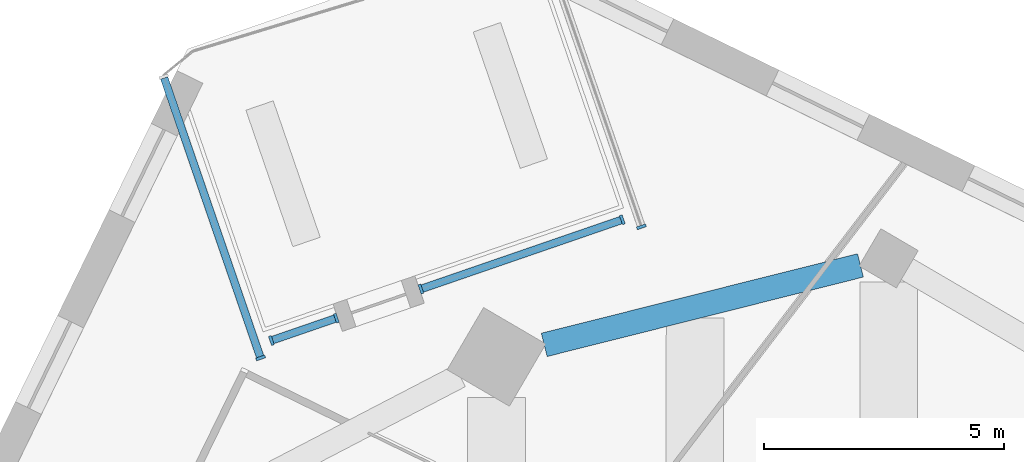
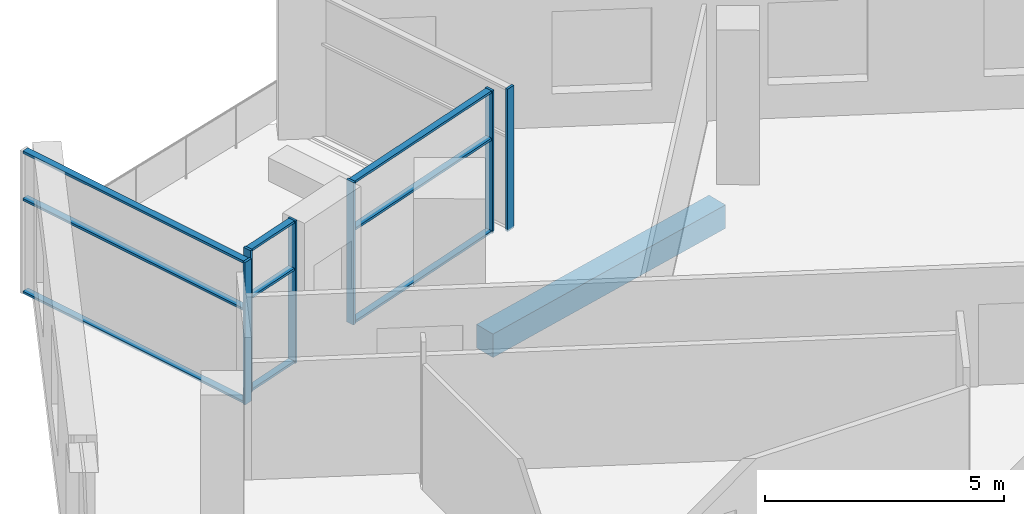
# One storey, part 2 of 13: 15 members, 1 beam, 4 elements without a shape of their own.
"""IFC4 building model written with IfcOpenShell, lengths in metres."""

import ifcopenshell
import ifcopenshell.guid

model = None  # the IFC model being written
_history = None  # IfcOwnerHistory: only IFC2X3 demands one
_inside = {}  # id of a spatial element -> (the spatial element, [elements in it])
_under = {}  # id of a project, library or spatial element -> (it, [spatial elements below it])
_declared = {}  # id of a project -> (the project, [libraries it declares])
_typed = {}  # id of a type object -> (the type object, [elements of that type])
_made_of = {}  # id of a material, layer set ... -> (it, [elements and type objects made of it])


def new_model(schema):
    """Start an empty IFC model of exactly this schema.

    Asked for "IFC4X3", IfcOpenShell would pick the latest addendum, in which some entities
    have other attributes; the version numbers below select the first issue.
    IFC2X3 requires an IfcOwnerHistory on every rooted entity: one is made here for all.
    """
    global model, _history
    if schema == "IFC4X3":
        model = ifcopenshell.file(schema_version=(4, 3, 0, 0))
    else:
        model = ifcopenshell.file(schema=schema)
    _inside.clear()
    _under.clear()
    _declared.clear()
    _typed.clear()
    _made_of.clear()
    _history = None
    if model.schema == "IFC2X3":
        org = make("IfcOrganization", Name="unknown")
        user = make(
            "IfcPersonAndOrganization",
            ThePerson=make("IfcPerson", FamilyName="unknown"),
            TheOrganization=org,
        )
        app = make(
            "IfcApplication",
            ApplicationDeveloper=org,
            Version="unknown",
            ApplicationFullName="unknown",
            ApplicationIdentifier="unknown",
        )
        _history = make(
            "IfcOwnerHistory",
            OwningUser=user,
            OwningApplication=app,
            ChangeAction="ADDED",
            CreationDate=0,
        )
    return model


def make(cls, **values):
    """One entity of the class cls with the attributes given. An attribute that is None is left unset."""
    return model.create_entity(
        cls, **{name: value for name, value in values.items() if value is not None}
    )


def rooted(cls, **values):
    """An entity with a GlobalId (a new one), such as an element, a storey or a relation."""
    return make(cls, GlobalId=ifcopenshell.guid.new(), OwnerHistory=_history, **values)


def si_unit(unit_type, name, prefix=None):
    """IfcSIUnit, for example si_unit("LENGTHUNIT", "METRE", prefix="MILLI")."""
    return make("IfcSIUnit", UnitType=unit_type, Prefix=prefix, Name=name)


def assignment(units):
    """IfcUnitAssignment: the units of a project."""
    return None if units is None else make("IfcUnitAssignment", Units=units)


def point(xyz):
    """IfcCartesianPoint."""
    return None if xyz is None else make("IfcCartesianPoint", Coordinates=xyz)


def direction(xyz):
    """IfcDirection."""
    return None if xyz is None else make("IfcDirection", DirectionRatios=xyz)


def frame(location, z_axis=None, x_axis=None):
    """IfcAxis2Placement3D, a coordinate frame: its origin and axes. An axis left out is left unset."""
    return make(
        "IfcAxis2Placement3D",
        Location=point(location),
        Axis=direction(z_axis),
        RefDirection=direction(x_axis),
    )


def frame_2d(location, x_axis=None):
    """IfcAxis2Placement2D, a coordinate frame in the plane: its origin and x axis."""
    return make(
        "IfcAxis2Placement2D", Location=point(location), RefDirection=direction(x_axis)
    )


def origin():
    """The frame at (0, 0, 0) with its axes left unset."""
    return frame((0.0, 0.0, 0.0))


def origin_2d():
    """The frame at (0, 0) in the plane with its x axis left unset."""
    return frame_2d((0.0, 0.0))


def place(relative_to, where):
    """IfcLocalPlacement: puts the frame where relative to a parent placement (None: the world)."""
    return make(
        "IfcLocalPlacement", PlacementRelTo=relative_to, RelativePlacement=where
    )


def context(
    kind, dimensions, precision=None, world=None, true_north=None, identifier=None
):
    """IfcGeometricRepresentationContext, for example the 3D "Model" context."""
    return make(
        "IfcGeometricRepresentationContext",
        ContextIdentifier=identifier,
        ContextType=kind,
        CoordinateSpaceDimension=dimensions,
        Precision=precision,
        WorldCoordinateSystem=world,
        TrueNorth=true_north,
    )


def subcontext(parent, identifier, kind, view, scale=None):
    """IfcGeometricRepresentationSubContext, for example "Body" below "Model"."""
    return make(
        "IfcGeometricRepresentationSubContext",
        ContextIdentifier=identifier,
        ContextType=kind,
        ParentContext=parent,
        TargetScale=scale,
        TargetView=view,
    )


def project(units=None, contexts=None):
    """IfcProject with its units and contexts."""
    return rooted(
        "IfcProject",
        Name="project",
        RepresentationContexts=contexts,
        UnitsInContext=assignment(units),
    )


def spatial(cls, under=None, at=None, **own):
    """A site, building, storey or space (cls), placed at a placement, below another one or the project."""
    s = rooted(cls, ObjectPlacement=at, **own)
    if under is not None:
        _under.setdefault(under.id(), (under, []))[1].append(s)
    return s


def profile(cls, at=None, kind="AREA", **sizes):
    """A parametric profile (cls). Its sizes go by their IFC names, for example OverallWidth=200.0."""
    return make(cls, ProfileType=kind, Position=at, **sizes)


def rectangle(**sizes):
    """IfcRectangleProfileDef."""
    return profile("IfcRectangleProfileDef", **sizes)


def extrude(swept, where, along, depth):
    """IfcExtrudedAreaSolid: the profile swept, set in the frame where, extruded along a direction by depth."""
    return make(
        "IfcExtrudedAreaSolid",
        SweptArea=swept,
        Position=where,
        ExtrudedDirection=direction(along),
        Depth=depth,
    )


def shape(context_of_items, identifier, shape_type, items):
    """IfcShapeRepresentation: the items that make up one representation, for example the "Body"."""
    return make(
        "IfcShapeRepresentation",
        ContextOfItems=context_of_items,
        RepresentationIdentifier=identifier,
        RepresentationType=shape_type,
        Items=items,
    )


def material(Name=None, Category=None):
    """IfcMaterial."""
    return make("IfcMaterial", Name=Name, Category=Category)


def material_profile(
    of_material, cross_section, Name=None, Category=None, Priority=None
):
    """IfcMaterialProfile: a cross section and its material."""
    return make(
        "IfcMaterialProfile",
        Name=Name,
        Material=of_material,
        Profile=cross_section,
        Priority=Priority,
        Category=Category,
    )


def profile_set(profiles, Name=None, composite=None):
    """IfcMaterialProfileSet."""
    return make(
        "IfcMaterialProfileSet",
        Name=Name,
        MaterialProfiles=profiles,
        CompositeProfile=composite,
    )


def made_of(thing, what):
    """Note that an element or type object is made of a material, layer set ...; save() writes the relation."""
    if what is not None:
        _made_of.setdefault(what.id(), (what, []))[1].append(thing)
    return thing


def type_object(cls, material=None, **own):
    """A type object (cls), such as IfcWallType, which elements share."""
    return made_of(rooted(cls, **own), material)


def element(
    cls,
    number,
    at=None,
    inside=None,
    cuts=None,
    type_object=None,
    material=None,
    context=None,
    identifier="Body",
    shape_type=None,
    held_by="IfcProductDefinitionShape",
    body=None,
    shapes=None,
    **own,
):
    """One element of the class cls, such as IfcWall. Its Tag is "e" and its number.

    at: its placement. inside: the storey or other place that contains it. cuts: it is an
    opening in that element (IfcRelVoidsElement). A single representation is given by context,
    identifier, shape_type and body (its items); several are given by shapes. held_by: the class
    of the entity that holds the representations. save() writes the other relations.
    """
    e = rooted(cls, Tag="e%d" % number, ObjectPlacement=at, **own)
    if body is not None:
        shapes = [shape(context, identifier, shape_type, body)]
    if shapes is not None:
        e.Representation = make(held_by, Representations=shapes)
    if inside is not None:
        _inside.setdefault(inside.id(), (inside, []))[1].append(e)
    if cuts is not None:
        rooted(
            "IfcRelVoidsElement", RelatingBuildingElement=cuts, RelatedOpeningElement=e
        )
    if type_object is not None:
        _typed.setdefault(type_object.id(), (type_object, []))[1].append(e)
    return made_of(e, material)


def aggregate(whole, parts):
    """IfcRelAggregates: a whole, such as a stair, and the parts it consists of."""
    return rooted("IfcRelAggregates", RelatingObject=whole, RelatedObjects=parts)


def save(model, path):
    """Write the relations noted so far, then the file.

    IfcRelAggregates (storeys below a building ...), IfcRelContainedInSpatialStructure (elements
    in a storey), IfcRelDefinesByType, IfcRelAssociatesMaterial and IfcRelDeclares: one each for
    every whole, place, type object, material and project.
    """
    for whole, parts in _under.values():
        aggregate(whole, parts)
    for where, things in _inside.values():
        rooted(
            "IfcRelContainedInSpatialStructure",
            RelatedElements=things,
            RelatingStructure=where,
        )
    for kind, things in _typed.values():
        rooted("IfcRelDefinesByType", RelatedObjects=things, RelatingType=kind)
    for what, things in _made_of.values():
        rooted("IfcRelAssociatesMaterial", RelatedObjects=things, RelatingMaterial=what)
    for by, libraries in _declared.values():
        rooted("IfcRelDeclares", RelatingContext=by, RelatedDefinitions=libraries)
    model.write(path)


model = new_model("IFC4")

# Units and contexts
model_context = context("Model", 3, precision=1e-05, world=origin(), true_north=direction((0.0, 1.0)))
body_context = subcontext(model_context, "Body", "Model", "MODEL_VIEW")
ifc_project = project(units=[si_unit("LENGTHUNIT", "METRE"), si_unit("AREAUNIT", "SQUARE_METRE"), si_unit("VOLUMEUNIT", "CUBIC_METRE"), si_unit("PLANEANGLEUNIT", "RADIAN"), si_unit("MASSUNIT", "GRAM", prefix="KILO")], contexts=[model_context])

# Site, building, storey
site_placement = place(None, origin())
site = spatial("IfcSite", under=ifc_project, at=site_placement, CompositionType="ELEMENT")
building_placement = place(site_placement, origin())
building = spatial("IfcBuilding", under=site, at=building_placement, Name="Dilmun Exchange Tower", CompositionType="ELEMENT")
storey_placement = place(building_placement, frame((0.0, 0.0, 282.89990234375)))
storey = spatial("IfcBuildingStorey", under=building, at=storey_placement, Name="L67", CompositionType="ELEMENT", Elevation=282.89990234375)

# Curtain wall, member
ifc_material_1 = material(Name="Anodised aluminium and clear glass", Category="aluminium")
curtain_wall_type = type_object("IfcCurtainWallType", Name="Garden corner glazing", PredefinedType="NOTDEFINED", material=ifc_material_1)
curtain_wall_1_placement = place(storey_placement, origin())
curtain_wall_1 = element("IfcCurtainWall", 1, at=curtain_wall_1_placement, inside=storey, type_object=curtain_wall_type, Name="Garden corner glazing run GC1.1", PredefinedType="NOTDEFINED")
ifc_material_2 = material(Name="Anodised aluminium", Category="aluminium")
ifc_material_profile_1 = material_profile(ifc_material_2, rectangle(XDim=0.199951171875, YDim=0.06005859375, at=origin_2d()), Name="AL 60x200")
ifc_profile_set_1 = profile_set([ifc_material_profile_1], Name="Anodised aluminium")
member_type_1 = type_object("IfcMemberType", Name="Garden corner glazing mullion 60 x 200", PredefinedType="MULLION", material=ifc_profile_set_1)
member_1_placement = place(storey_placement, frame((-0.8994140625, 29.162109375, 0.0), z_axis=(0.0, 0.0, 1.0), x_axis=(0.945515289338, 0.325577698297, 0.0)))
member_1 = element("IfcMember", 2, at=member_1_placement, type_object=member_type_1, Name="GC1.1 mullion 2", PredefinedType="MULLION", context=body_context, shape_type="SweptSolid", body=[
    extrude(rectangle(XDim=0.199951171875, YDim=0.06005859375, at=origin_2d()), origin(), (0.0, 0.0, 1.0), 3.64013671875),
])
aggregate(curtain_wall_1, [member_1])

# Curtain wall, members
curtain_wall_2_placement = place(storey_placement, origin())
curtain_wall_2 = element("IfcCurtainWall", 3, at=curtain_wall_2_placement, inside=storey, type_object=curtain_wall_type, Name="Garden corner glazing run GC2.1", PredefinedType="NOTDEFINED")
member_2_placement = place(storey_placement, frame((-1.29931640625, 29.309814453125, 0.0), z_axis=(0.0, 0.0, 1.0), x_axis=(0.325561585103, -0.945520837584, 0.0)))
member_2 = element("IfcMember", 4, at=member_2_placement, type_object=member_type_1, Name="GC2.1 mullion 1", PredefinedType="MULLION", context=body_context, shape_type="SweptSolid", body=[
    extrude(rectangle(XDim=0.199951171875, YDim=0.06005859375, at=origin_2d()), origin(), (0.0, 0.0, 1.0), 3.64013671875),
])
member_3_placement = place(storey_placement, frame((-5.487060546875, 27.867919921875, 0.0), z_axis=(0.0, 0.0, 1.0), x_axis=(0.325561585103, -0.945520837584, 0.0)))
member_3 = element("IfcMember", 5, at=member_3_placement, type_object=member_type_1, Name="GC2.1 mullion 2", PredefinedType="MULLION", context=body_context, shape_type="SweptSolid", body=[
    extrude(rectangle(XDim=0.199951171875, YDim=0.06005859375, at=origin_2d()), origin(), (0.0, 0.0, 1.0), 3.64013671875),
])

curtain_wall_3_placement = place(storey_placement, origin())
curtain_wall_3 = element("IfcCurtainWall", 6, at=curtain_wall_3_placement, inside=storey, type_object=curtain_wall_type, Name="Garden corner glazing run GC2.3", PredefinedType="NOTDEFINED")
member_4_placement = place(storey_placement, frame((-7.245849609375, 27.262451171875, 0.0), z_axis=(0.0, 0.0, 1.0), x_axis=(0.325560182015, -0.945521320694, 0.0)))
member_4 = element("IfcMember", 7, at=member_4_placement, type_object=member_type_1, Name="GC2.3 mullion 1", PredefinedType="MULLION", context=body_context, shape_type="SweptSolid", body=[
    extrude(rectangle(XDim=0.199951171875, YDim=0.06005859375, at=origin_2d()), origin(), (0.0, 0.0, 1.0), 3.64013671875),
])
member_5_placement = place(storey_placement, frame((-8.596923828125, 26.797119140625, 0.0), z_axis=(0.0, 0.0, 1.0), x_axis=(0.325560182015, -0.945521320694, 0.0)))
member_5 = element("IfcMember", 8, at=member_5_placement, type_object=member_type_1, Name="GC2.3 mullion 2", PredefinedType="MULLION", context=body_context, shape_type="SweptSolid", body=[
    extrude(rectangle(XDim=0.199951171875, YDim=0.06005859375, at=origin_2d()), origin(), (0.0, 0.0, 1.0), 3.64013671875),
])

# Curtain wall, member
curtain_wall_4_placement = place(storey_placement, origin())
curtain_wall_4 = element("IfcCurtainWall", 9, at=curtain_wall_4_placement, inside=storey, type_object=curtain_wall_type, Name="Garden corner glazing run GC3.1", PredefinedType="NOTDEFINED")
member_6_placement = place(storey_placement, frame((-8.821044921875, 26.434326171875, 0.0), z_axis=(0.0, 0.0, 1.0), x_axis=(-0.945516986278, -0.325572770145, 0.0)))
member_6 = element("IfcMember", 10, at=member_6_placement, type_object=member_type_1, Name="GC3.1 mullion 1", PredefinedType="MULLION", context=body_context, shape_type="SweptSolid", body=[
    extrude(rectangle(XDim=0.199951171875, YDim=0.06005859375, at=origin_2d()), origin(), (0.0, 0.0, 1.0), 3.64013671875),
])

# Member
ifc_material_profile_2 = material_profile(ifc_material_2, rectangle(XDim=0.159912109375, YDim=0.06005859375, at=origin_2d()), Name="AL 60x160")
ifc_profile_set_2 = profile_set([ifc_material_profile_2], Name="Anodised aluminium")
member_type_2 = type_object("IfcMemberType", Name="Garden corner glazing transom 60 x 160", PredefinedType="USERDEFINED", material=ifc_profile_set_2)
member_7_placement = place(storey_placement, frame((-1.32763671875, 29.300048828125, 0.030029296875), z_axis=(-0.94552489763, -0.325549793369, 0.0), x_axis=(0.325549793369, -0.94552489763, 0.0)))
member_7 = element("IfcMember", 11, at=member_7_placement, type_object=member_type_2, Name="GC2.1 transom 1.1", ObjectType="TRANSOM", PredefinedType="USERDEFINED", context=body_context, shape_type="SweptSolid", body=[
    extrude(rectangle(XDim=0.159912109375, YDim=0.06005859375, at=origin_2d()), origin(), (0.0, 0.0, 1.0), 4.369140625),
])

member_8_placement = place(storey_placement, frame((-1.32763671875, 29.300048828125, 2.400146484375), z_axis=(-0.94552489763, -0.325549793369, 0.0), x_axis=(0.325549793369, -0.94552489763, 0.0)))
member_8 = element("IfcMember", 12, at=member_8_placement, type_object=member_type_2, Name="GC2.1 transom 1.2", ObjectType="TRANSOM", PredefinedType="USERDEFINED", context=body_context, shape_type="SweptSolid", body=[
    extrude(rectangle(XDim=0.159912109375, YDim=0.06005859375, at=origin_2d()), origin(), (0.0, 0.0, 1.0), 4.369140625),
])

member_9_placement = place(storey_placement, frame((-1.32763671875, 29.300048828125, 3.610107421875), z_axis=(-0.94552489763, -0.325549793369, 0.0), x_axis=(0.325549793369, -0.94552489763, 0.0)))
member_9 = element("IfcMember", 13, at=member_9_placement, type_object=member_type_2, Name="GC2.1 transom 1.3", ObjectType="TRANSOM", PredefinedType="USERDEFINED", context=body_context, shape_type="SweptSolid", body=[
    extrude(rectangle(XDim=0.159912109375, YDim=0.06005859375, at=origin_2d()), origin(), (0.0, 0.0, 1.0), 4.369140625),
])

aggregate(curtain_wall_2, [member_2, member_3, member_7, member_8, member_9])

member_10_placement = place(storey_placement, frame((-7.274169921875, 27.252685546875, 0.030029296875), z_axis=(-0.945497988391, -0.325627937911, 0.0), x_axis=(0.325627937911, -0.945497988391, 0.0)))
member_10 = element("IfcMember", 14, at=member_10_placement, type_object=member_type_2, Name="GC2.3 transom 1.1", ObjectType="TRANSOM", PredefinedType="USERDEFINED", context=body_context, shape_type="SweptSolid", body=[
    extrude(rectangle(XDim=0.159912109375, YDim=0.06005859375, at=origin_2d()), origin(), (0.0, 0.0, 1.0), 1.369140625),
])

member_11_placement = place(storey_placement, frame((-7.274169921875, 27.252685546875, 2.400146484375), z_axis=(-0.945497988391, -0.325627937911, 0.0), x_axis=(0.325627937911, -0.945497988391, 0.0)))
member_11 = element("IfcMember", 15, at=member_11_placement, type_object=member_type_2, Name="GC2.3 transom 1.2", ObjectType="TRANSOM", PredefinedType="USERDEFINED", context=body_context, shape_type="SweptSolid", body=[
    extrude(rectangle(XDim=0.159912109375, YDim=0.06005859375, at=origin_2d()), origin(), (0.0, 0.0, 1.0), 1.369140625),
])

member_12_placement = place(storey_placement, frame((-7.274169921875, 27.252685546875, 3.610107421875), z_axis=(-0.945497988391, -0.325627937911, 0.0), x_axis=(0.325627937911, -0.945497988391, 0.0)))
member_12 = element("IfcMember", 16, at=member_12_placement, type_object=member_type_2, Name="GC2.3 transom 1.3", ObjectType="TRANSOM", PredefinedType="USERDEFINED", context=body_context, shape_type="SweptSolid", body=[
    extrude(rectangle(XDim=0.159912109375, YDim=0.06005859375, at=origin_2d()), origin(), (0.0, 0.0, 1.0), 1.369140625),
])

aggregate(curtain_wall_3, [member_4, member_5, member_10, member_11, member_12])

member_13_placement = place(storey_placement, frame((-8.830810546875, 26.462646484375, 0.030029296875), z_axis=(-0.325573096467, 0.945516873914, 0.0), x_axis=(-0.945516873914, -0.325573096467, 0.0)))
member_13 = element("IfcMember", 17, at=member_13_placement, type_object=member_type_2, Name="GC3.1 transom 1.1", ObjectType="TRANSOM", PredefinedType="USERDEFINED", context=body_context, shape_type="SweptSolid", body=[
    extrude(rectangle(XDim=0.159912109375, YDim=0.06005859375, at=origin_2d()), origin(), (0.0, 0.0, 1.0), 6.12646484375),
])

member_14_placement = place(storey_placement, frame((-8.830810546875, 26.462646484375, 2.400146484375), z_axis=(-0.325573096467, 0.945516873914, 0.0), x_axis=(-0.945516873914, -0.325573096467, 0.0)))
member_14 = element("IfcMember", 18, at=member_14_placement, type_object=member_type_2, Name="GC3.1 transom 1.2", ObjectType="TRANSOM", PredefinedType="USERDEFINED", context=body_context, shape_type="SweptSolid", body=[
    extrude(rectangle(XDim=0.159912109375, YDim=0.06005859375, at=origin_2d()), origin(), (0.0, 0.0, 1.0), 6.12646484375),
])

member_15_placement = place(storey_placement, frame((-8.830810546875, 26.462646484375, 3.610107421875), z_axis=(-0.325573096467, 0.945516873914, 0.0), x_axis=(-0.945516873914, -0.325573096467, 0.0)))
member_15 = element("IfcMember", 19, at=member_15_placement, type_object=member_type_2, Name="GC3.1 transom 1.3", ObjectType="TRANSOM", PredefinedType="USERDEFINED", context=body_context, shape_type="SweptSolid", body=[
    extrude(rectangle(XDim=0.159912109375, YDim=0.06005859375, at=origin_2d()), origin(), (0.0, 0.0, 1.0), 6.12646484375),
])

aggregate(curtain_wall_4, [member_6, member_13, member_14, member_15])

# Beam
ifc_material_3 = material(Name="Concrete C40/50", Category="concrete")
ifc_material_profile_3 = material_profile(ifc_material_3, rectangle(XDim=0.5, YDim=0.60009765625, at=origin_2d()), Name="500 x 600")
ifc_profile_set_3 = profile_set([ifc_material_profile_3], Name="Concrete C40/50")
beam_type = type_object("IfcBeamType", Name="RC ring beam 500 x 600 C40/50", PredefinedType="SPANDREL", material=ifc_profile_set_3)
beam_placement = place(storey_placement, frame((3.6552734375, 28.359130859375, -0.659912109375), z_axis=(-0.969853854997, -0.243687299522, 0.0), x_axis=(0.243687299522, -0.969853854997, 0.0)))
element("IfcBeam", 20, at=beam_placement, inside=storey, type_object=beam_type, Name="Ring beam 16", PredefinedType="SPANDREL", context=body_context, shape_type="SweptSolid", body=[
    extrude(rectangle(XDim=0.5, YDim=0.60009765625, at=origin_2d()), origin(), (0.0, 0.0, 1.0), 6.78271484375),
])

save(model, "model.ifc")
